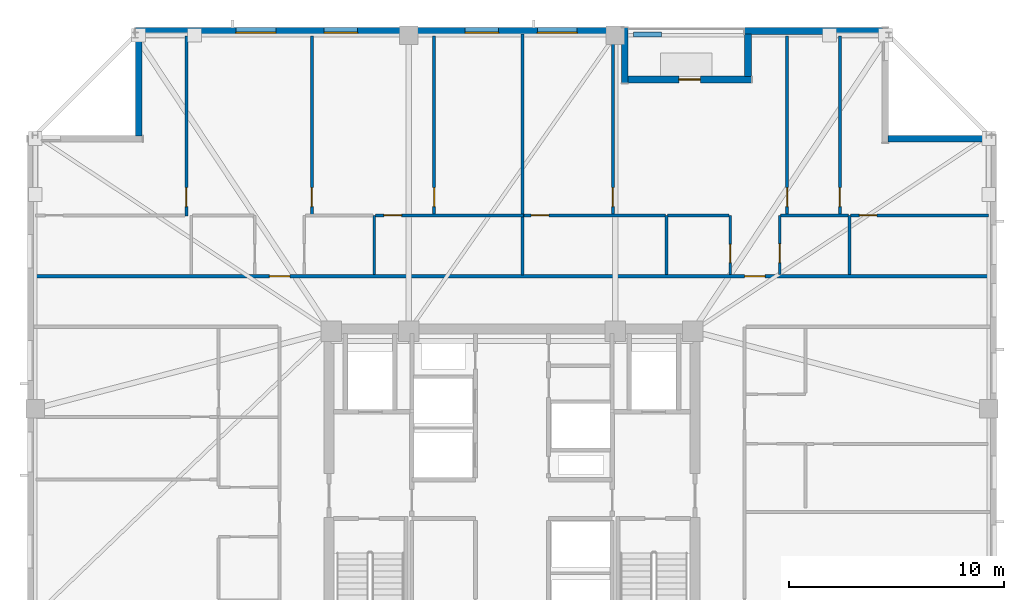
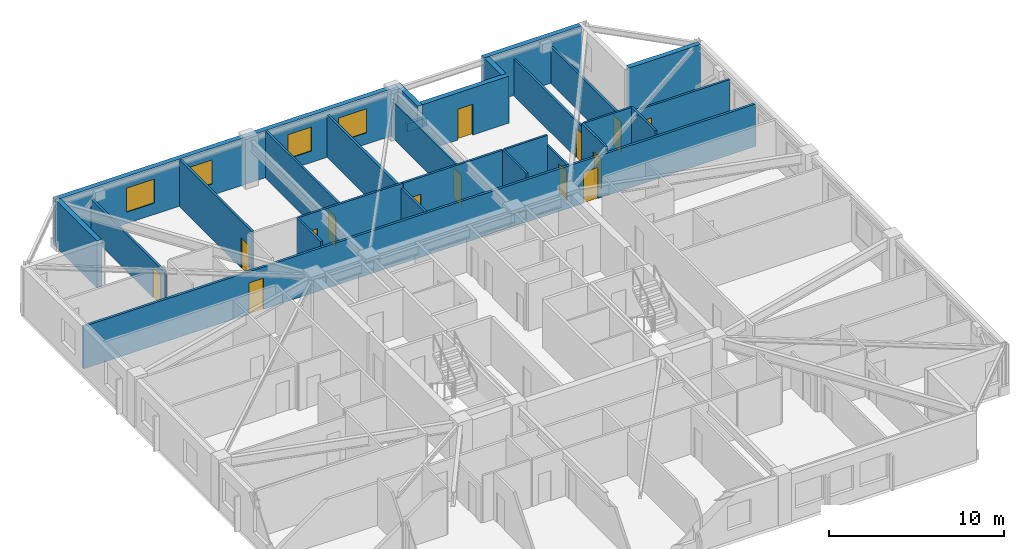
# One storey, part 11 of 17: 26 walls, 14 doors, 4 windows, 18 openings.
"""IFC4 building model written with IfcOpenShell, lengths in metres."""

from ifc_helpers import new_model, si_unit, direction, frame, frame_2d, origin, place, context, subcontext, project, spatial, rectangle, extrude, material, layer, layer_set, type_object, element, fill, save


model = new_model("IFC4")

# Units and contexts
model_context = context("Model", 3, precision=1e-05, world=origin(), true_north=direction((0.0, 1.0)))
body_context = subcontext(model_context, "Body", "Model", "MODEL_VIEW")
ifc_project = project(units=[si_unit("LENGTHUNIT", "METRE"), si_unit("AREAUNIT", "SQUARE_METRE"), si_unit("VOLUMEUNIT", "CUBIC_METRE"), si_unit("PLANEANGLEUNIT", "RADIAN"), si_unit("MASSUNIT", "GRAM", prefix="KILO")], contexts=[model_context])

# Site, building, storey
site_placement = place(None, origin())
site = spatial("IfcSite", under=ifc_project, at=site_placement, CompositionType="ELEMENT")
building_placement = place(site_placement, origin())
building = spatial("IfcBuilding", under=site, at=building_placement, Name="Cairnveth Concourse Tower", CompositionType="ELEMENT")
storey_placement = place(building_placement, frame((0.0, 0.0, 202.5)))
storey = spatial("IfcBuildingStorey", under=building, at=storey_placement, Name="L55", CompositionType="ELEMENT", Elevation=202.5)

# Wall, openings, doors
ifc_material_1 = material(Name="Gypsum Plasterboard Partition", Category="gypsum")
ifc_layer_1 = layer(ifc_material_1, 0.159912109375)
ifc_layer_set_1 = layer_set([ifc_layer_1], Name="Gypsum Plasterboard Partition")
wall_type_1 = type_object("IfcWallType", Name="ACOUSTIC PARTY WALL 180", PredefinedType="PARTITIONING", material=ifc_layer_set_1)
wall_1_placement = place(storey_placement, frame((29.804931640625, 49.949951171875, 0.0), z_axis=(0.0, 0.0, 1.0), x_axis=(1.0, 0.0, 0.0)))
wall_1 = element("IfcWall", 1, at=wall_1_placement, inside=storey, type_object=wall_type_1, Name="Interior Wall IW-L55-037", PredefinedType="PARTITIONING", context=body_context, shape_type="SweptSolid", body=[
    extrude(rectangle(XDim=44.39013671875, YDim=0.159912109375, at=frame_2d((22.195068359375, 0.0))), origin(), (0.0, 0.0, 1.0), 2.9580078125),
])
opening_1_placement = place(wall_1_placement, frame((10.918701171875, 0.0, 0.0)))
opening_1 = element("IfcOpeningElement", 2, at=opening_1_placement, cuts=wall_1, Name="Opening ID10", PredefinedType="OPENING", context=body_context, shape_type="SweptSolid", body=[
    extrude(rectangle(XDim=0.9599609375, YDim=2.179931640625, at=frame_2d((0.47998046875, 1.08984375))), frame((0.0, 0.08984375, 0.0), z_axis=(0.0, -1.0, 0.0), x_axis=(1.0, 0.0, 0.0)), (0.0, 0.0, 1.0), 0.179931640625),
])
opening_2_placement = place(wall_1_placement, frame((32.998779296875, 0.0, 0.0)))
opening_2 = element("IfcOpeningElement", 3, at=opening_2_placement, cuts=wall_1, Name="Opening ID10", PredefinedType="OPENING", context=body_context, shape_type="SweptSolid", body=[
    extrude(rectangle(XDim=0.9599609375, YDim=2.179931640625, at=frame_2d((0.47998046875, 1.08984375))), frame((0.0, 0.08984375, 0.0), z_axis=(0.0, -1.0, 0.0), x_axis=(1.0, 0.0, 0.0)), (0.0, 0.0, 1.0), 0.179931640625),
])
ifc_material_2 = material(Name="Solid Core Hardwood Timber Leaf", Category="wood")
door_type_1 = type_object("IfcDoorType", Name="FLAT ENTRANCE DOOR 960X2150", OperationType="NOTDEFINED", PredefinedType="DOOR", material=ifc_material_2)
door_1_placement = place(opening_1_placement, origin())
door_1 = element("IfcDoor", 4, at=door_1_placement, inside=storey, type_object=door_type_1, Name="Apartment L55N1 Entrance Door", OperationType="SINGLE_SWING_LEFT", OverallHeight=2.179931640625, OverallWidth=0.9599609375, PredefinedType="DOOR", context=body_context, shape_type="SweptSolid", body=[
    extrude(rectangle(XDim=0.9599609375, YDim=2.179931640625, at=frame_2d((0.47998046875, 1.08984375))), frame((0.0, 0.02490234375, 0.0), z_axis=(0.0, -1.0, 0.0), x_axis=(1.0, 0.0, 0.0)), (0.0, 0.0, 1.0), 0.050048828125),
])
fill(opening_1, door_1)
door_2_placement = place(opening_2_placement, origin())
door_2 = element("IfcDoor", 5, at=door_2_placement, inside=storey, type_object=door_type_1, Name="Apartment L55N2 Entrance Door", OperationType="SINGLE_SWING_LEFT", OverallHeight=2.179931640625, OverallWidth=0.9599609375, PredefinedType="DOOR", context=body_context, shape_type="SweptSolid", body=[
    extrude(rectangle(XDim=0.9599609375, YDim=2.179931640625, at=frame_2d((0.47998046875, 1.08984375))), frame((0.0, 0.02490234375, 0.0), z_axis=(0.0, -1.0, 0.0), x_axis=(1.0, 0.0, 0.0)), (0.0, 0.0, 1.0), 0.050048828125),
])
fill(opening_2, door_2)

# Wall
wall_2_placement = place(storey_placement, frame((52.487548828125, 50.014892578125, 0.0), z_axis=(0.0, 0.0, 1.0), x_axis=(0.0, 1.0, 0.0)))
element("IfcWall", 6, at=wall_2_placement, inside=storey, type_object=wall_type_1, Name="Interior Wall IW-L55-078", PredefinedType="PARTITIONING", context=body_context, shape_type="SweptSolid", body=[
    extrude(rectangle(XDim=11.18017578125, YDim=0.159912109375, at=frame_2d((5.590087890625, 0.0))), origin(), (0.0, 0.0, 1.0), 2.9580078125),
])

# Wall, opening, door
ifc_layer_2 = layer(ifc_material_1, 0.139892578125)
ifc_layer_set_2 = layer_set([ifc_layer_2], Name="Gypsum Plasterboard Partition")
wall_type_2 = type_object("IfcWallType", Name="GYPSUM STUD PARTITION 140", PredefinedType="PARTITIONING", material=ifc_layer_set_2)
wall_3_placement = place(storey_placement, frame((36.8701171875, 52.739990234375, 0.0), z_axis=(0.0, 0.0, 1.0), x_axis=(0.0, 1.0, 0.0)))
wall_3 = element("IfcWall", 7, at=wall_3_placement, inside=storey, type_object=wall_type_2, Name="Interior Wall IW-L55-073", PredefinedType="PARTITIONING", context=body_context, shape_type="SweptSolid", body=[
    extrude(rectangle(XDim=8.380126953125, YDim=0.139892578125, at=frame_2d((4.18994140625, 0.0))), origin(), (0.0, 0.0, 1.0), 2.572998046875),
])
opening_3_placement = place(wall_3_placement, frame((0.449951171875, 0.0, 0.0)))
opening_3 = element("IfcOpeningElement", 8, at=opening_3_placement, cuts=wall_3, Name="Opening ID18", PredefinedType="OPENING", context=body_context, shape_type="SweptSolid", body=[
    extrude(rectangle(XDim=0.8798828125, YDim=2.10009765625, at=frame_2d((0.43994140625, 1.050048828125))), frame((0.0, 0.079833984375, 0.0), z_axis=(0.0, -1.0, 0.0), x_axis=(1.0, 0.0, 0.0)), (0.0, 0.0, 1.0), 0.159912109375),
])
door_type_2 = type_object("IfcDoorType", Name="INTERIOR SINGLE DOOR 880X2100", OperationType="NOTDEFINED", PredefinedType="DOOR", material=ifc_material_2)
door_3_placement = place(opening_3_placement, origin())
door_3 = element("IfcDoor", 9, at=door_3_placement, inside=storey, type_object=door_type_2, Name="L55N1 Master Bedroom Door", OperationType="SINGLE_SWING_LEFT", OverallHeight=2.10009765625, OverallWidth=0.8798828125, PredefinedType="DOOR", context=body_context, shape_type="SweptSolid", body=[
    extrude(rectangle(XDim=0.8798828125, YDim=2.10009765625, at=frame_2d((0.43994140625, 1.050048828125))), frame((0.0, 0.02490234375, 0.0), z_axis=(0.0, -1.0, 0.0), x_axis=(1.0, 0.0, 0.0)), (0.0, 0.0, 1.0), 0.050048828125),
])
fill(opening_3, door_3)

wall_4_placement = place(storey_placement, frame((48.387451171875, 52.739990234375, 0.0), z_axis=(0.0, 0.0, 1.0), x_axis=(0.0, 1.0, 0.0)))
wall_4 = element("IfcWall", 10, at=wall_4_placement, inside=storey, type_object=wall_type_2, Name="Interior Wall IW-L55-075", PredefinedType="PARTITIONING", context=body_context, shape_type="SweptSolid", body=[
    extrude(rectangle(XDim=8.380126953125, YDim=0.139892578125, at=frame_2d((4.18994140625, 0.0))), origin(), (0.0, 0.0, 1.0), 3.2900390625),
])
opening_4_placement = place(wall_4_placement, frame((0.449951171875, 0.0, 0.0)))
opening_4 = element("IfcOpeningElement", 11, at=opening_4_placement, cuts=wall_4, Name="Opening ID18", PredefinedType="OPENING", context=body_context, shape_type="SweptSolid", body=[
    extrude(rectangle(XDim=0.8798828125, YDim=2.10009765625, at=frame_2d((0.43994140625, 1.050048828125))), frame((0.0, 0.079833984375, 0.0), z_axis=(0.0, -1.0, 0.0), x_axis=(1.0, 0.0, 0.0)), (0.0, 0.0, 1.0), 0.159912109375),
])
door_4_placement = place(opening_4_placement, origin())
door_4 = element("IfcDoor", 12, at=door_4_placement, inside=storey, type_object=door_type_2, Name="L55N1 Bedroom 2 Door", OperationType="SINGLE_SWING_LEFT", OverallHeight=2.10009765625, OverallWidth=0.8798828125, PredefinedType="DOOR", context=body_context, shape_type="SweptSolid", body=[
    extrude(rectangle(XDim=0.8798828125, YDim=2.10009765625, at=frame_2d((0.43994140625, 1.050048828125))), frame((0.0, 0.02490234375, 0.0), z_axis=(0.0, -1.0, 0.0), x_axis=(1.0, 0.0, 0.0)), (0.0, 0.0, 1.0), 0.050048828125),
])
fill(opening_4, door_4)

wall_5_placement = place(storey_placement, frame((45.65380859375, 52.780029296875, 0.0), z_axis=(0.0, 0.0, 1.0), x_axis=(1.0, 0.0, 0.0)))
wall_5 = element("IfcWall", 13, at=wall_5_placement, inside=storey, type_object=wall_type_2, Name="Interior Wall IW-L55-076", PredefinedType="PARTITIONING", context=body_context, shape_type="SweptSolid", body=[
    extrude(rectangle(XDim=6.8837890625, YDim=0.139892578125, at=frame_2d((3.44189453125, 0.0))), origin(), (0.0, 0.0, 1.0), 3.2900390625),
])
opening_5_placement = place(wall_5_placement, frame((0.39990234375, 0.0, 0.0)))
opening_5 = element("IfcOpeningElement", 14, at=opening_5_placement, cuts=wall_5, Name="Opening ID22", PredefinedType="OPENING", context=body_context, shape_type="SweptSolid", body=[
    extrude(rectangle(XDim=0.820068359375, YDim=2.10009765625, at=frame_2d((0.41015625, 1.050048828125))), frame((0.0, 0.079833984375, 0.0), z_axis=(0.0, -1.0, 0.0), x_axis=(1.0, 0.0, 0.0)), (0.0, 0.0, 1.0), 0.159912109375),
])
door_type_3 = type_object("IfcDoorType", Name="INTERIOR WC DOOR 820X2100", OperationType="NOTDEFINED", PredefinedType="DOOR", material=ifc_material_2)
door_5_placement = place(opening_5_placement, origin())
door_5 = element("IfcDoor", 15, at=door_5_placement, inside=storey, type_object=door_type_3, Name="L55N1 Utility Door", OperationType="SINGLE_SWING_RIGHT", OverallHeight=2.10009765625, OverallWidth=0.820068359375, PredefinedType="DOOR", context=body_context, shape_type="SweptSolid", body=[
    extrude(rectangle(XDim=0.820068359375, YDim=2.10009765625, at=frame_2d((0.41015625, 1.050048828125))), frame((0.0, 0.02490234375, 0.0), z_axis=(0.0, -1.0, 0.0), x_axis=(1.0, 0.0, 0.0)), (0.0, 0.0, 1.0), 0.050048828125),
])
fill(opening_5, door_5)

wall_6_placement = place(storey_placement, frame((42.70361328125, 52.830078125, 0.0), z_axis=(0.0, 0.0, 1.0), x_axis=(0.0, 1.0, 0.0)))
wall_6 = element("IfcWall", 16, at=wall_6_placement, inside=storey, type_object=wall_type_2, Name="Interior Wall IW-L55-077", PredefinedType="PARTITIONING", context=body_context, shape_type="SweptSolid", body=[
    extrude(rectangle(XDim=8.2900390625, YDim=0.139892578125, at=frame_2d((4.14501953125, 0.0))), origin(), (0.0, 0.0, 1.0), 3.2900390625),
])
opening_6_placement = place(wall_6_placement, frame((0.360107421875, 0.0, 0.0)))
opening_6 = element("IfcOpeningElement", 17, at=opening_6_placement, cuts=wall_6, Name="Opening ID18", PredefinedType="OPENING", context=body_context, shape_type="SweptSolid", body=[
    extrude(rectangle(XDim=0.8798828125, YDim=2.10009765625, at=frame_2d((0.43994140625, 1.050048828125))), frame((0.0, 0.079833984375, 0.0), z_axis=(0.0, -1.0, 0.0), x_axis=(1.0, 0.0, 0.0)), (0.0, 0.0, 1.0), 0.159912109375),
])
door_6_placement = place(opening_6_placement, origin())
door_6 = element("IfcDoor", 18, at=door_6_placement, inside=storey, type_object=door_type_2, Name="L55N1 Media Lounge Door", OperationType="SINGLE_SWING_RIGHT", OverallHeight=2.10009765625, OverallWidth=0.8798828125, PredefinedType="DOOR", context=body_context, shape_type="SweptSolid", body=[
    extrude(rectangle(XDim=0.8798828125, YDim=2.10009765625, at=frame_2d((0.43994140625, 1.050048828125))), frame((0.0, 0.02490234375, 0.0), z_axis=(0.0, -1.0, 0.0), x_axis=(1.0, 0.0, 0.0)), (0.0, 0.0, 1.0), 0.050048828125),
])
fill(opening_6, door_6)

wall_7_placement = place(storey_placement, frame((56.6875, 52.739990234375, 0.0), z_axis=(0.0, 0.0, 1.0), x_axis=(0.0, 1.0, 0.0)))
wall_7 = element("IfcWall", 19, at=wall_7_placement, inside=storey, type_object=wall_type_2, Name="Interior Wall IW-L55-085", PredefinedType="PARTITIONING", context=body_context, shape_type="SweptSolid", body=[
    extrude(rectangle(XDim=8.380126953125, YDim=0.139892578125, at=frame_2d((4.18994140625, 0.0))), origin(), (0.0, 0.0, 1.0), 2.572998046875),
])
opening_7_placement = place(wall_7_placement, frame((0.449951171875, 0.0, 0.0)))
opening_7 = element("IfcOpeningElement", 20, at=opening_7_placement, cuts=wall_7, Name="Opening ID18", PredefinedType="OPENING", context=body_context, shape_type="SweptSolid", body=[
    extrude(rectangle(XDim=0.8798828125, YDim=2.10009765625, at=frame_2d((0.43994140625, 1.050048828125))), frame((0.0, 0.079833984375, 0.0), z_axis=(0.0, -1.0, 0.0), x_axis=(1.0, 0.0, 0.0)), (0.0, 0.0, 1.0), 0.159912109375),
])
door_7_placement = place(opening_7_placement, origin())
door_7 = element("IfcDoor", 21, at=door_7_placement, inside=storey, type_object=door_type_2, Name="L55N2 Master Bedroom Door", OperationType="SINGLE_SWING_LEFT", OverallHeight=2.10009765625, OverallWidth=0.8798828125, PredefinedType="DOOR", context=body_context, shape_type="SweptSolid", body=[
    extrude(rectangle(XDim=0.8798828125, YDim=2.10009765625, at=frame_2d((0.43994140625, 1.050048828125))), frame((0.0, 0.02490234375, 0.0), z_axis=(0.0, -1.0, 0.0), x_axis=(1.0, 0.0, 0.0)), (0.0, 0.0, 1.0), 0.050048828125),
])
fill(opening_7, door_7)

wall_8_placement = place(storey_placement, frame((52.552490234375, 52.780029296875, 0.0), z_axis=(0.0, 0.0, 1.0), x_axis=(1.0, 0.0, 0.0)))
wall_8 = element("IfcWall", 22, at=wall_8_placement, inside=storey, type_object=wall_type_2, Name="Interior Wall IW-L55-086", PredefinedType="PARTITIONING", context=body_context, shape_type="SweptSolid", body=[
    extrude(rectangle(XDim=6.581298828125, YDim=0.139892578125, at=frame_2d((3.29052734375, 0.0))), origin(), (0.0, 0.0, 1.0), 3.2900390625),
])
opening_8_placement = place(wall_8_placement, frame((0.3349609375, 0.0, 0.0)))
opening_8 = element("IfcOpeningElement", 23, at=opening_8_placement, cuts=wall_8, Name="Opening ID22", PredefinedType="OPENING", context=body_context, shape_type="SweptSolid", body=[
    extrude(rectangle(XDim=0.820068359375, YDim=2.10009765625, at=frame_2d((0.41015625, 1.050048828125))), frame((0.0, 0.079833984375, 0.0), z_axis=(0.0, -1.0, 0.0), x_axis=(1.0, 0.0, 0.0)), (0.0, 0.0, 1.0), 0.159912109375),
])
door_8_placement = place(opening_8_placement, origin())
door_8 = element("IfcDoor", 24, at=door_8_placement, inside=storey, type_object=door_type_3, Name="L55N2 Dressing Door", OperationType="SINGLE_SWING_RIGHT", OverallHeight=2.10009765625, OverallWidth=0.820068359375, PredefinedType="DOOR", context=body_context, shape_type="SweptSolid", body=[
    extrude(rectangle(XDim=0.820068359375, YDim=2.10009765625, at=frame_2d((0.41015625, 1.050048828125))), frame((0.0, 0.02490234375, 0.0), z_axis=(0.0, -1.0, 0.0), x_axis=(1.0, 0.0, 0.0)), (0.0, 0.0, 1.0), 0.050048828125),
])
fill(opening_8, door_8)

wall_9_placement = place(storey_placement, frame((67.22998046875, 52.830078125, 0.0), z_axis=(0.0, 0.0, 1.0), x_axis=(0.0, 1.0, 0.0)))
wall_9 = element("IfcWall", 25, at=wall_9_placement, inside=storey, type_object=wall_type_2, Name="Interior Wall IW-L55-087", PredefinedType="PARTITIONING", context=body_context, shape_type="SweptSolid", body=[
    extrude(rectangle(XDim=8.2900390625, YDim=0.139892578125, at=frame_2d((4.14501953125, 0.0))), origin(), (0.0, 0.0, 1.0), 2.572998046875),
])
opening_9_placement = place(wall_9_placement, frame((0.360107421875, 0.0, 0.0)))
opening_9 = element("IfcOpeningElement", 26, at=opening_9_placement, cuts=wall_9, Name="Opening ID18", PredefinedType="OPENING", context=body_context, shape_type="SweptSolid", body=[
    extrude(rectangle(XDim=0.8798828125, YDim=2.10009765625, at=frame_2d((0.43994140625, 1.050048828125))), frame((0.0, 0.079833984375, 0.0), z_axis=(0.0, -1.0, 0.0), x_axis=(1.0, 0.0, 0.0)), (0.0, 0.0, 1.0), 0.159912109375),
])
door_9_placement = place(opening_9_placement, origin())
door_9 = element("IfcDoor", 27, at=door_9_placement, inside=storey, type_object=door_type_2, Name="L55N2 Bedroom 2 Door", OperationType="SINGLE_SWING_LEFT", OverallHeight=2.10009765625, OverallWidth=0.8798828125, PredefinedType="DOOR", context=body_context, shape_type="SweptSolid", body=[
    extrude(rectangle(XDim=0.8798828125, YDim=2.10009765625, at=frame_2d((0.43994140625, 1.050048828125))), frame((0.0, 0.02490234375, 0.0), z_axis=(0.0, -1.0, 0.0), x_axis=(1.0, 0.0, 0.0)), (0.0, 0.0, 1.0), 0.050048828125),
])
fill(opening_9, door_9)

wall_10_placement = place(storey_placement, frame((67.73388671875, 52.780029296875, 0.0), z_axis=(0.0, 0.0, 1.0), x_axis=(1.0, 0.0, 0.0)))
wall_10 = element("IfcWall", 28, at=wall_10_placement, inside=storey, type_object=wall_type_2, Name="Interior Wall IW-L55-088", PredefinedType="PARTITIONING", context=body_context, shape_type="SweptSolid", body=[
    extrude(rectangle(XDim=6.39599609375, YDim=0.139892578125, at=frame_2d((3.197998046875, 0.0))), origin(), (0.0, 0.0, 1.0), 2.9580078125),
])
opening_10_placement = place(wall_10_placement, frame((0.39990234375, 0.0, 0.0)))
opening_10 = element("IfcOpeningElement", 29, at=opening_10_placement, cuts=wall_10, Name="Opening ID22", PredefinedType="OPENING", context=body_context, shape_type="SweptSolid", body=[
    extrude(rectangle(XDim=0.820068359375, YDim=2.10009765625, at=frame_2d((0.41015625, 1.050048828125))), frame((0.0, 0.079833984375, 0.0), z_axis=(0.0, -1.0, 0.0), x_axis=(1.0, 0.0, 0.0)), (0.0, 0.0, 1.0), 0.159912109375),
])
door_10_placement = place(opening_10_placement, origin())
door_10 = element("IfcDoor", 30, at=door_10_placement, inside=storey, type_object=door_type_3, Name="L55N2 Utility Door", OperationType="SINGLE_SWING_RIGHT", OverallHeight=2.10009765625, OverallWidth=0.820068359375, PredefinedType="DOOR", context=body_context, shape_type="SweptSolid", body=[
    extrude(rectangle(XDim=0.820068359375, YDim=2.10009765625, at=frame_2d((0.41015625, 1.050048828125))), frame((0.0, 0.02490234375, 0.0), z_axis=(0.0, -1.0, 0.0), x_axis=(1.0, 0.0, 0.0)), (0.0, 0.0, 1.0), 0.050048828125),
])
fill(opening_10, door_10)

wall_11_placement = place(storey_placement, frame((64.78369140625, 52.830078125, 0.0), z_axis=(0.0, 0.0, 1.0), x_axis=(0.0, 1.0, 0.0)))
wall_11 = element("IfcWall", 31, at=wall_11_placement, inside=storey, type_object=wall_type_2, Name="Interior Wall IW-L55-089", PredefinedType="PARTITIONING", context=body_context, shape_type="SweptSolid", body=[
    extrude(rectangle(XDim=8.2900390625, YDim=0.139892578125, at=frame_2d((4.14501953125, 0.0))), origin(), (0.0, 0.0, 1.0), 2.572998046875),
])
opening_11_placement = place(wall_11_placement, frame((0.360107421875, 0.0, 0.0)))
opening_11 = element("IfcOpeningElement", 32, at=opening_11_placement, cuts=wall_11, Name="Opening ID18", PredefinedType="OPENING", context=body_context, shape_type="SweptSolid", body=[
    extrude(rectangle(XDim=0.8798828125, YDim=2.10009765625, at=frame_2d((0.43994140625, 1.050048828125))), frame((0.0, 0.079833984375, 0.0), z_axis=(0.0, -1.0, 0.0), x_axis=(1.0, 0.0, 0.0)), (0.0, 0.0, 1.0), 0.159912109375),
])
door_11_placement = place(opening_11_placement, origin())
door_11 = element("IfcDoor", 33, at=door_11_placement, inside=storey, type_object=door_type_2, Name="L55N2 Media Lounge Door", OperationType="SINGLE_SWING_RIGHT", OverallHeight=2.10009765625, OverallWidth=0.8798828125, PredefinedType="DOOR", context=body_context, shape_type="SweptSolid", body=[
    extrude(rectangle(XDim=0.8798828125, YDim=2.10009765625, at=frame_2d((0.43994140625, 1.050048828125))), frame((0.0, 0.02490234375, 0.0), z_axis=(0.0, -1.0, 0.0), x_axis=(1.0, 0.0, 0.0)), (0.0, 0.0, 1.0), 0.050048828125),
])
fill(opening_11, door_11)

# Walls
ifc_material_3 = material(Name="Dressed Melbourne Bluestone Cladding", Category="masonry")
ifc_layer_3 = layer(ifc_material_3, 0.219970703125)
ifc_layer_set_3 = layer_set([ifc_layer_3], Name="Dressed Melbourne Bluestone Cladding")
wall_type_3 = type_object("IfcWallType", Name="TERRACE PLANTER CURB WALL 220", PredefinedType="PARAPET", material=ifc_layer_set_3)
wall_12_placement = place(storey_placement, frame((57.64990234375, 61.179931640625, 0.0), z_axis=(0.0, 0.0, 1.0), x_axis=(1.0, 0.0, 0.0)))
element("IfcWall", 34, at=wall_12_placement, inside=storey, type_object=wall_type_3, Name="Exterior Wall PLNT-L55-TERR", PredefinedType="PARAPET", context=body_context, shape_type="SweptSolid", body=[
    extrude(rectangle(XDim=1.300048828125, YDim=0.219970703125, at=frame_2d((0.64990234375, 0.0))), origin(), (0.0, 0.0, 1.0), 0.550048828125),
])
ifc_layer_4 = layer(ifc_material_1, 0.1298828125)
ifc_layer_set_4 = layer_set([ifc_layer_4], Name="Gypsum Plasterboard Partition")
wall_type_4 = type_object("IfcWallType", Name="WET AREA PARTITION 140", PredefinedType="PLUMBINGWALL", material=ifc_layer_set_4)
for number, where, z_axis, x_axis, name in (
    (35, (45.603759765625, 50.030029296875, 0.0), (0.0, 0.0, 1.0), (0.0, 1.0, 0.0), "Interior Wall IW-L55-070"),
    (36, (59.18359375, 50.030029296875, 0.0), (0.0, 0.0, 1.0), (0.0, 1.0, 0.0), "Interior Wall IW-L55-079"),
):
    element("IfcWall", number, at=place(storey_placement, frame(where, z_axis=z_axis, x_axis=x_axis)), inside=storey, type_object=wall_type_4, Name=name, PredefinedType="PLUMBINGWALL", context=body_context, shape_type="SweptSolid", body=[
        extrude(rectangle(XDim=2.75, YDim=0.1298828125, at=frame_2d((1.375, 0.0))), origin(), (0.0, 0.0, 1.0), 3.2900390625),
    ])

# Wall, opening, door
wall_13_placement = place(storey_placement, frame((62.1337890625, 50.030029296875, 0.0), z_axis=(0.0, 0.0, 1.0), x_axis=(0.0, 1.0, 0.0)))
wall_13 = element("IfcWall", 37, at=wall_13_placement, inside=storey, type_object=wall_type_4, Name="Interior Wall IW-L55-080", PredefinedType="PLUMBINGWALL", context=body_context, shape_type="SweptSolid", body=[
    extrude(rectangle(XDim=2.75, YDim=0.1298828125, at=frame_2d((1.375, 0.0))), origin(), (0.0, 0.0, 1.0), 2.572998046875),
])
opening_12_placement = place(wall_13_placement, frame((0.550048828125, 0.0, 0.0)))
opening_12 = element("IfcOpeningElement", 38, at=opening_12_placement, cuts=wall_13, Name="Opening ID21", PredefinedType="OPENING", context=body_context, shape_type="SweptSolid", body=[
    extrude(rectangle(XDim=0.85009765625, YDim=2.080078125, at=frame_2d((0.425048828125, 1.0400390625))), frame((0.0, 0.074951171875, 0.0), z_axis=(0.0, -1.0, 0.0), x_axis=(1.0, 0.0, 0.0)), (0.0, 0.0, 1.0), 0.14990234375),
])
door_type_4 = type_object("IfcDoorType", Name="INTERIOR WC DOOR 850X2100", OperationType="NOTDEFINED", PredefinedType="DOOR", material=ifc_material_2)
door_12_placement = place(opening_12_placement, origin())
door_12 = element("IfcDoor", 39, at=door_12_placement, inside=storey, type_object=door_type_4, Name="L55N2 Bathroom Door", OperationType="SINGLE_SWING_RIGHT", OverallHeight=2.080078125, OverallWidth=0.85009765625, PredefinedType="DOOR", context=body_context, shape_type="SweptSolid", body=[
    extrude(rectangle(XDim=0.85009765625, YDim=2.080078125, at=frame_2d((0.425048828125, 1.0400390625))), frame((0.0, 0.02490234375, 0.0), z_axis=(0.0, -1.0, 0.0), x_axis=(1.0, 0.0, 0.0)), (0.0, 0.0, 1.0), 0.050048828125),
])
fill(opening_12, door_12)

# Walls
wall_14_placement = place(storey_placement, frame((59.233642578125, 52.780029296875, 0.0), z_axis=(0.0, 0.0, 1.0), x_axis=(1.0, 0.0, 0.0)))
element("IfcWall", 40, at=wall_14_placement, inside=storey, type_object=wall_type_4, Name="Interior Wall IW-L55-081", PredefinedType="PLUMBINGWALL", context=body_context, shape_type="SweptSolid", body=[
    extrude(rectangle(XDim=2.85009765625, YDim=0.1298828125, at=frame_2d((1.425048828125, 0.0))), origin(), (0.0, 0.0, 1.0), 3.2900390625),
])
wall_15_placement = place(storey_placement, frame((67.683837890625, 50.030029296875, 0.0), z_axis=(0.0, 0.0, 1.0), x_axis=(0.0, 1.0, 0.0)))
element("IfcWall", 41, at=wall_15_placement, inside=storey, type_object=wall_type_4, Name="Interior Wall IW-L55-082", PredefinedType="PLUMBINGWALL", context=body_context, shape_type="SweptSolid", body=[
    extrude(rectangle(XDim=2.75, YDim=0.1298828125, at=frame_2d((1.375, 0.0))), origin(), (0.0, 0.0, 1.0), 3.2900390625),
])

# Wall, opening, door
wall_16_placement = place(storey_placement, frame((64.433837890625, 50.030029296875, 0.0), z_axis=(0.0, 0.0, 1.0), x_axis=(0.0, 1.0, 0.0)))
wall_16 = element("IfcWall", 42, at=wall_16_placement, inside=storey, type_object=wall_type_4, Name="Interior Wall IW-L55-083", PredefinedType="PLUMBINGWALL", context=body_context, shape_type="SweptSolid", body=[
    extrude(rectangle(XDim=2.75, YDim=0.1298828125, at=frame_2d((1.375, 0.0))), origin(), (0.0, 0.0, 1.0), 3.2900390625),
])
opening_13_placement = place(wall_16_placement, frame((0.550048828125, 0.0, 0.0)))
opening_13 = element("IfcOpeningElement", 43, at=opening_13_placement, cuts=wall_16, Name="Opening ID18", PredefinedType="OPENING", context=body_context, shape_type="SweptSolid", body=[
    extrude(rectangle(XDim=0.8798828125, YDim=2.10009765625, at=frame_2d((0.43994140625, 1.050048828125))), frame((0.0, 0.074951171875, 0.0), z_axis=(0.0, -1.0, 0.0), x_axis=(1.0, 0.0, 0.0)), (0.0, 0.0, 1.0), 0.14990234375),
])
door_13_placement = place(opening_13_placement, origin())
door_13 = element("IfcDoor", 44, at=door_13_placement, inside=storey, type_object=door_type_2, Name="L55N2 Kitchen Door", OperationType="SINGLE_SWING_LEFT", OverallHeight=2.10009765625, OverallWidth=0.8798828125, PredefinedType="DOOR", context=body_context, shape_type="SweptSolid", body=[
    extrude(rectangle(XDim=0.8798828125, YDim=2.10009765625, at=frame_2d((0.43994140625, 1.050048828125))), frame((0.0, 0.02490234375, 0.0), z_axis=(0.0, -1.0, 0.0), x_axis=(1.0, 0.0, 0.0)), (0.0, 0.0, 1.0), 0.050048828125),
])
fill(opening_13, door_13)

# Walls
wall_17_placement = place(storey_placement, frame((64.48388671875, 52.780029296875, 0.0), z_axis=(0.0, 0.0, 1.0), x_axis=(1.0, 0.0, 0.0)))
element("IfcWall", 45, at=wall_17_placement, inside=storey, type_object=wall_type_4, Name="Interior Wall IW-L55-084", PredefinedType="PLUMBINGWALL", context=body_context, shape_type="SweptSolid", body=[
    extrude(rectangle(XDim=3.14990234375, YDim=0.1298828125, at=frame_2d((1.574951171875, 0.0))), origin(), (0.0, 0.0, 1.0), 3.2900390625),
])
ifc_material_4 = material(Name="Melbourne Buff Fired Clay Brick Masonry", Category="masonry")
ifc_layer_5 = layer(ifc_material_4, 0.320068359375)
ifc_layer_set_5 = layer_set([ifc_layer_5], Name="Melbourne Buff Fired Clay Brick Masonry")
wall_type_5 = type_object("IfcWallType", Name="ZONE 3 BRICK PIER SPANDREL WALL 320", PredefinedType="SOLIDWALL", material=ifc_layer_set_5)
wall_18_placement = place(storey_placement, frame((62.800048828125, 61.340087890625, 0.0), z_axis=(0.0, 0.0, 1.0), x_axis=(1.0, 0.0, 0.0)))
element("IfcWall", 46, at=wall_18_placement, inside=storey, type_object=wall_type_5, Name="Exterior Wall EW-L55-S00", PredefinedType="SOLIDWALL", context=body_context, shape_type="SweptSolid", body=[
    extrude(rectangle(XDim=6.40185546875, YDim=0.320068359375, at=frame_2d((3.200927734375, 0.0))), origin(), (0.0, 0.0, 1.0), 3.2900390625),
])
for number, where, z_axis, x_axis, name in (
    (47, (69.47802734375, 56.340087890625, 0.0), (0.0, 0.0, 1.0), (1.0, 0.0, 0.0), "Exterior Wall EW-L55-S02"),
    (48, (34.659912109375, 56.47802734375, 0.0), (0.0, 0.0, 1.0), (0.0, 1.0, 0.0), "Exterior Wall EW-L55-S11"),
):
    element("IfcWall", number, at=place(storey_placement, frame(where, z_axis=z_axis, x_axis=x_axis)), inside=storey, type_object=wall_type_5, Name=name, PredefinedType="SOLIDWALL", context=body_context, shape_type="SweptSolid", body=[
        extrude(rectangle(XDim=4.723876953125, YDim=0.320068359375, at=frame_2d((2.36181640625, 0.0))), origin(), (0.0, 0.0, 1.0), 3.2900390625),
    ])

# Wall, openings, windows
wall_19_placement = place(storey_placement, frame((34.5, 61.340087890625, 0.0), z_axis=(0.0, 0.0, 1.0), x_axis=(1.0, 0.0, 0.0)))
wall_19 = element("IfcWall", 49, at=wall_19_placement, inside=storey, type_object=wall_type_5, Name="Exterior Wall EW-L55-S12", PredefinedType="SOLIDWALL", context=body_context, shape_type="SweptSolid", body=[
    extrude(rectangle(XDim=22.60205078125, YDim=0.320068359375, at=frame_2d((11.301025390625, 0.0))), origin(), (0.0, 0.0, 1.0), 3.2900390625),
])
opening_14_placement = place(wall_19_placement, frame((4.67529296875, 0.0, 0.800048828125)))
opening_14 = element("IfcOpeningElement", 50, at=opening_14_placement, cuts=wall_19, Name="Opening W08", PredefinedType="OPENING", context=body_context, shape_type="SweptSolid", body=[
    extrude(rectangle(XDim=1.85009765625, YDim=1.677978515625, at=frame_2d((0.925048828125, 0.8388671875))), frame((0.0, 0.169921875, 0.0), z_axis=(0.0, -1.0, 0.0), x_axis=(1.0, 0.0, 0.0)), (0.0, 0.0, 1.0), 0.340087890625),
])
opening_15_placement = place(wall_19_placement, frame((8.775634765625, 0.0, 0.800048828125)))
opening_15 = element("IfcOpeningElement", 51, at=opening_15_placement, cuts=wall_19, Name="Opening W07", PredefinedType="OPENING", context=body_context, shape_type="SweptSolid", body=[
    extrude(rectangle(XDim=1.550048828125, YDim=1.677978515625, at=frame_2d((0.77490234375, 0.8388671875))), frame((0.0, 0.169921875, 0.0), z_axis=(0.0, -1.0, 0.0), x_axis=(1.0, 0.0, 0.0)), (0.0, 0.0, 1.0), 0.340087890625),
])
opening_16_placement = place(wall_19_placement, frame((15.326416015625, 0.0, 0.800048828125)))
opening_16 = element("IfcOpeningElement", 52, at=opening_16_placement, cuts=wall_19, Name="Opening W07", PredefinedType="OPENING", context=body_context, shape_type="SweptSolid", body=[
    extrude(rectangle(XDim=1.550048828125, YDim=1.677978515625, at=frame_2d((0.77490234375, 0.8388671875))), frame((0.0, 0.169921875, 0.0), z_axis=(0.0, -1.0, 0.0), x_axis=(1.0, 0.0, 0.0)), (0.0, 0.0, 1.0), 0.340087890625),
])
opening_17_placement = place(wall_19_placement, frame((18.6767578125, 0.0, 0.800048828125)))
opening_17 = element("IfcOpeningElement", 53, at=opening_17_placement, cuts=wall_19, Name="Opening W08", PredefinedType="OPENING", context=body_context, shape_type="SweptSolid", body=[
    extrude(rectangle(XDim=1.85009765625, YDim=1.677978515625, at=frame_2d((0.925048828125, 0.8388671875))), frame((0.0, 0.169921875, 0.0), z_axis=(0.0, -1.0, 0.0), x_axis=(1.0, 0.0, 0.0)), (0.0, 0.0, 1.0), 0.340087890625),
])
ifc_material_5 = material(Name="Double Glazed Low-E Clear Glass", Category="glass")
window_type_1 = type_object("IfcWindowType", Name="DEEP-SET APARTMENT LIVING WINDOW 1850X1850", PartitioningType="DOUBLE_PANEL_VERTICAL", PredefinedType="WINDOW", material=ifc_material_5)
window_1_placement = place(opening_14_placement, origin())
window_1 = element("IfcWindow", 54, at=window_1_placement, inside=storey, type_object=window_type_1, Name="Gothic Lancet Window L55-12-1", OverallHeight=1.677978515625, OverallWidth=1.85009765625, PartitioningType="SINGLE_PANEL", PredefinedType="WINDOW", context=body_context, shape_type="SweptSolid", body=[
    extrude(rectangle(XDim=1.85009765625, YDim=1.677978515625, at=frame_2d((0.925048828125, 0.8388671875))), frame((0.0, -0.050048828125, 0.0), z_axis=(0.0, -1.0, 0.0), x_axis=(1.0, 0.0, 0.0)), (0.0, 0.0, 1.0), 0.06005859375),
])
fill(opening_14, window_1)
window_2_placement = place(opening_17_placement, origin())
window_2 = element("IfcWindow", 55, at=window_2_placement, inside=storey, type_object=window_type_1, Name="Gothic Lancet Window L55-12-5", OverallHeight=1.677978515625, OverallWidth=1.85009765625, PartitioningType="SINGLE_PANEL", PredefinedType="WINDOW", context=body_context, shape_type="SweptSolid", body=[
    extrude(rectangle(XDim=1.85009765625, YDim=1.677978515625, at=frame_2d((0.925048828125, 0.8388671875))), frame((0.0, -0.050048828125, 0.0), z_axis=(0.0, -1.0, 0.0), x_axis=(1.0, 0.0, 0.0)), (0.0, 0.0, 1.0), 0.06005859375),
])
fill(opening_17, window_2)
window_type_2 = type_object("IfcWindowType", Name="DEEP-SET APARTMENT WINDOW 1550X1800", PartitioningType="DOUBLE_PANEL_VERTICAL", PredefinedType="WINDOW", material=ifc_material_5)
window_3_placement = place(opening_15_placement, origin())
window_3 = element("IfcWindow", 56, at=window_3_placement, inside=storey, type_object=window_type_2, Name="Gothic Lancet Window L55-12-2", OverallHeight=1.677978515625, OverallWidth=1.550048828125, PartitioningType="SINGLE_PANEL", PredefinedType="WINDOW", context=body_context, shape_type="SweptSolid", body=[
    extrude(rectangle(XDim=1.550048828125, YDim=1.677978515625, at=frame_2d((0.77490234375, 0.8388671875))), frame((0.0, -0.050048828125, 0.0), z_axis=(0.0, -1.0, 0.0), x_axis=(1.0, 0.0, 0.0)), (0.0, 0.0, 1.0), 0.06005859375),
])
fill(opening_15, window_3)
window_4_placement = place(opening_16_placement, origin())
window_4 = element("IfcWindow", 57, at=window_4_placement, inside=storey, type_object=window_type_2, Name="Gothic Lancet Window L55-12-4", OverallHeight=1.677978515625, OverallWidth=1.550048828125, PartitioningType="SINGLE_PANEL", PredefinedType="WINDOW", context=body_context, shape_type="SweptSolid", body=[
    extrude(rectangle(XDim=1.550048828125, YDim=1.677978515625, at=frame_2d((0.77490234375, 0.8388671875))), frame((0.0, -0.050048828125, 0.0), z_axis=(0.0, -1.0, 0.0), x_axis=(1.0, 0.0, 0.0)), (0.0, 0.0, 1.0), 0.06005859375),
])
fill(opening_16, window_4)

# Wall
wall_20_placement = place(storey_placement, frame((57.239990234375, 61.5, 0.0), z_axis=(0.0, 0.0, 1.0), x_axis=(0.0, -1.0, 0.0)))
element("IfcWall", 58, at=wall_20_placement, inside=storey, type_object=wall_type_5, Name="Exterior Wall EW-L55-S13", PredefinedType="SOLIDWALL", context=body_context, shape_type="SweptSolid", body=[
    extrude(rectangle(XDim=2.570068359375, YDim=0.320068359375, at=frame_2d((1.28515625, 0.0))), origin(), (0.0, 0.0, 1.0), 3.2900390625),
])

# Wall, opening, door
wall_21_placement = place(storey_placement, frame((57.3779296875, 59.090087890625, 0.0), z_axis=(0.0, 0.0, 1.0), x_axis=(1.0, 0.0, 0.0)))
wall_21 = element("IfcWall", 59, at=wall_21_placement, inside=storey, type_object=wall_type_5, Name="Exterior Wall EW-L55-S14", PredefinedType="SOLIDWALL", context=body_context, shape_type="SweptSolid", body=[
    extrude(rectangle(XDim=5.7421875, YDim=0.320068359375, at=frame_2d((2.87109375, 0.0))), origin(), (0.0, 0.0, 1.0), 3.2900390625),
])
opening_18_placement = place(wall_21_placement, frame((2.37109375, 0.0, 0.0)))
opening_18 = element("IfcOpeningElement", 60, at=opening_18_placement, cuts=wall_21, Name="Opening ED4", PredefinedType="OPENING", context=body_context, shape_type="SweptSolid", body=[
    extrude(rectangle(XDim=1.0, YDim=2.14990234375, at=frame_2d((0.5, 1.074951171875))), frame((0.0, 0.169921875, 0.0), z_axis=(0.0, -1.0, 0.0), x_axis=(1.0, 0.0, 0.0)), (0.0, 0.0, 1.0), 0.340087890625),
])
ifc_material_6 = material(Name="Architectural Bronze Anodised Aluminium 6063-T6", Category="aluminium")
door_type_5 = type_object("IfcDoorType", Name="TERRACE GLAZED DOOR 1000X2150", OperationType="NOTDEFINED", PredefinedType="DOOR", material=ifc_material_6)
door_14_placement = place(opening_18_placement, origin())
door_14 = element("IfcDoor", 61, at=door_14_placement, inside=storey, type_object=door_type_5, Name="Spiral Terrace Door L55", OperationType="SINGLE_SWING_RIGHT", OverallHeight=2.14990234375, OverallWidth=1.0, PredefinedType="DOOR", context=body_context, shape_type="SweptSolid", body=[
    extrude(rectangle(XDim=1.0, YDim=2.14990234375, at=frame_2d((0.5, 1.074951171875))), frame((0.0, 0.02490234375, 0.0), z_axis=(0.0, -1.0, 0.0), x_axis=(1.0, 0.0, 0.0)), (0.0, 0.0, 1.0), 0.050048828125),
])
fill(opening_18, door_14)

# Wall
wall_22_placement = place(storey_placement, frame((62.9599609375, 59.22802734375, 0.0), z_axis=(0.0, 0.0, 1.0), x_axis=(0.0, 1.0, 0.0)))
element("IfcWall", 62, at=wall_22_placement, inside=storey, type_object=wall_type_5, Name="Exterior Wall EW-L55-S15", PredefinedType="SOLIDWALL", context=body_context, shape_type="SweptSolid", body=[
    extrude(rectangle(XDim=1.973876953125, YDim=0.320068359375, at=frame_2d((0.98681640625, 0.0))), origin(), (0.0, 0.0, 1.0), 3.2900390625),
])

save(model, "model.ifc")
